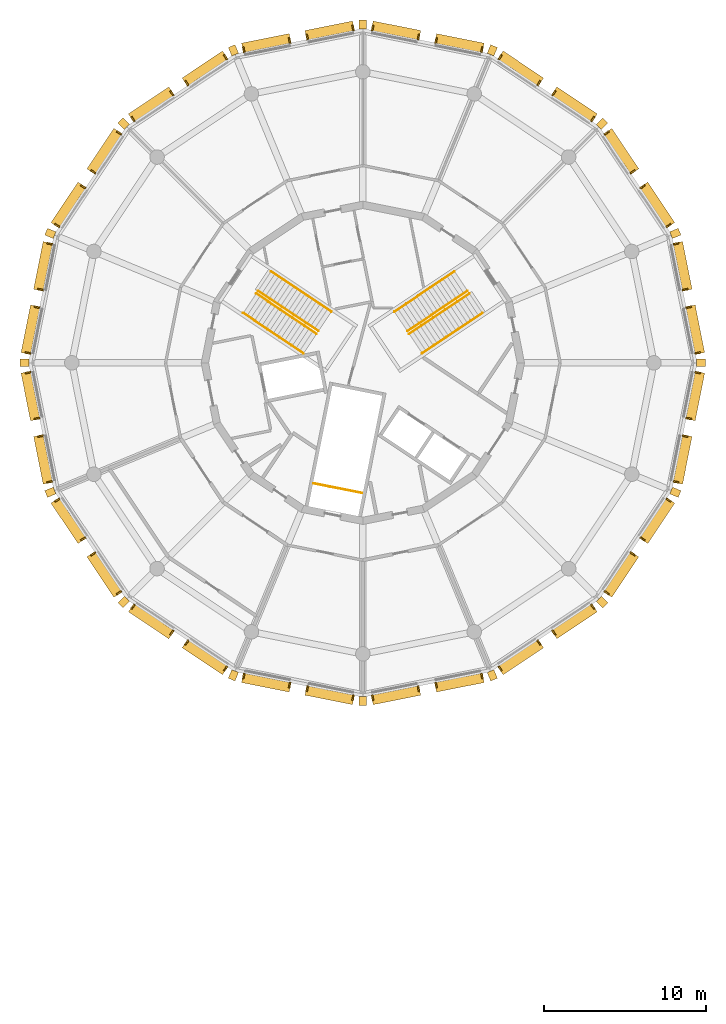
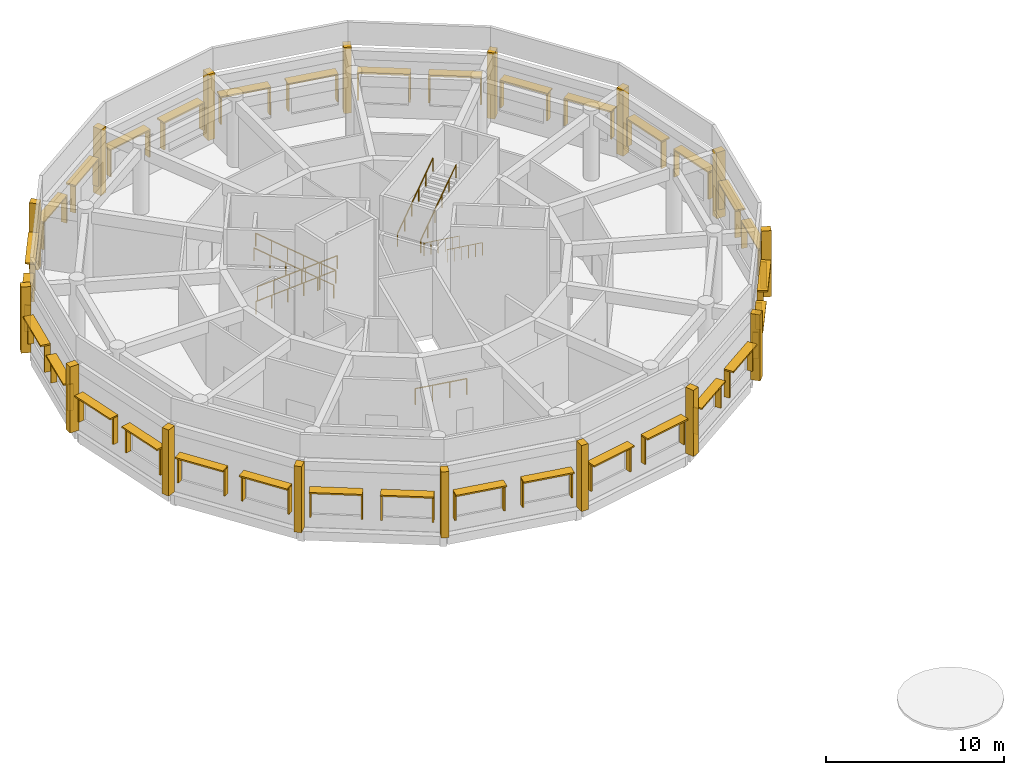
# One storey, part 8 of 8: 80 coverings, 32 shading devices, 9 railings.
"""IFC4 building model written with IfcOpenShell, lengths in metres."""

import ifcopenshell
import ifcopenshell.guid

model = None  # the IFC model being written
_history = None  # IfcOwnerHistory: only IFC2X3 demands one
_inside = {}  # id of a spatial element -> (the spatial element, [elements in it])
_under = {}  # id of a project, library or spatial element -> (it, [spatial elements below it])
_declared = {}  # id of a project -> (the project, [libraries it declares])
_typed = {}  # id of a type object -> (the type object, [elements of that type])
_made_of = {}  # id of a material, layer set ... -> (it, [elements and type objects made of it])


def new_model(schema):
    """Start an empty IFC model of exactly this schema.

    Asked for "IFC4X3", IfcOpenShell would pick the latest addendum, in which some entities
    have other attributes; the version numbers below select the first issue.
    IFC2X3 requires an IfcOwnerHistory on every rooted entity: one is made here for all.
    """
    global model, _history
    if schema == "IFC4X3":
        model = ifcopenshell.file(schema_version=(4, 3, 0, 0))
    else:
        model = ifcopenshell.file(schema=schema)
    _inside.clear()
    _under.clear()
    _declared.clear()
    _typed.clear()
    _made_of.clear()
    _history = None
    if model.schema == "IFC2X3":
        org = make("IfcOrganization", Name="unknown")
        user = make(
            "IfcPersonAndOrganization",
            ThePerson=make("IfcPerson", FamilyName="unknown"),
            TheOrganization=org,
        )
        app = make(
            "IfcApplication",
            ApplicationDeveloper=org,
            Version="unknown",
            ApplicationFullName="unknown",
            ApplicationIdentifier="unknown",
        )
        _history = make(
            "IfcOwnerHistory",
            OwningUser=user,
            OwningApplication=app,
            ChangeAction="ADDED",
            CreationDate=0,
        )
    return model


def make(cls, **values):
    """One entity of the class cls with the attributes given. An attribute that is None is left unset."""
    return model.create_entity(
        cls, **{name: value for name, value in values.items() if value is not None}
    )


def rooted(cls, **values):
    """An entity with a GlobalId (a new one), such as an element, a storey or a relation."""
    return make(cls, GlobalId=ifcopenshell.guid.new(), OwnerHistory=_history, **values)


def si_unit(unit_type, name, prefix=None):
    """IfcSIUnit, for example si_unit("LENGTHUNIT", "METRE", prefix="MILLI")."""
    return make("IfcSIUnit", UnitType=unit_type, Prefix=prefix, Name=name)


def assignment(units):
    """IfcUnitAssignment: the units of a project."""
    return None if units is None else make("IfcUnitAssignment", Units=units)


def point(xyz):
    """IfcCartesianPoint."""
    return None if xyz is None else make("IfcCartesianPoint", Coordinates=xyz)


def direction(xyz):
    """IfcDirection."""
    return None if xyz is None else make("IfcDirection", DirectionRatios=xyz)


def frame(location, z_axis=None, x_axis=None):
    """IfcAxis2Placement3D, a coordinate frame: its origin and axes. An axis left out is left unset."""
    return make(
        "IfcAxis2Placement3D",
        Location=point(location),
        Axis=direction(z_axis),
        RefDirection=direction(x_axis),
    )


def frame_2d(location, x_axis=None):
    """IfcAxis2Placement2D, a coordinate frame in the plane: its origin and x axis."""
    return make(
        "IfcAxis2Placement2D", Location=point(location), RefDirection=direction(x_axis)
    )


def origin():
    """The frame at (0, 0, 0) with its axes left unset."""
    return frame((0.0, 0.0, 0.0))


def origin_2d():
    """The frame at (0, 0) in the plane with its x axis left unset."""
    return frame_2d((0.0, 0.0))


def place(relative_to, where):
    """IfcLocalPlacement: puts the frame where relative to a parent placement (None: the world)."""
    return make(
        "IfcLocalPlacement", PlacementRelTo=relative_to, RelativePlacement=where
    )


def context(
    kind, dimensions, precision=None, world=None, true_north=None, identifier=None
):
    """IfcGeometricRepresentationContext, for example the 3D "Model" context."""
    return make(
        "IfcGeometricRepresentationContext",
        ContextIdentifier=identifier,
        ContextType=kind,
        CoordinateSpaceDimension=dimensions,
        Precision=precision,
        WorldCoordinateSystem=world,
        TrueNorth=true_north,
    )


def subcontext(parent, identifier, kind, view, scale=None):
    """IfcGeometricRepresentationSubContext, for example "Body" below "Model"."""
    return make(
        "IfcGeometricRepresentationSubContext",
        ContextIdentifier=identifier,
        ContextType=kind,
        ParentContext=parent,
        TargetScale=scale,
        TargetView=view,
    )


def project(units=None, contexts=None):
    """IfcProject with its units and contexts."""
    return rooted(
        "IfcProject",
        Name="project",
        RepresentationContexts=contexts,
        UnitsInContext=assignment(units),
    )


def spatial(cls, under=None, at=None, **own):
    """A site, building, storey or space (cls), placed at a placement, below another one or the project."""
    s = rooted(cls, ObjectPlacement=at, **own)
    if under is not None:
        _under.setdefault(under.id(), (under, []))[1].append(s)
    return s


def profile(cls, at=None, kind="AREA", **sizes):
    """A parametric profile (cls). Its sizes go by their IFC names, for example OverallWidth=200.0."""
    return make(cls, ProfileType=kind, Position=at, **sizes)


def rectangle(**sizes):
    """IfcRectangleProfileDef."""
    return profile("IfcRectangleProfileDef", **sizes)


def circle(**sizes):
    """IfcCircleProfileDef."""
    return profile("IfcCircleProfileDef", **sizes)


def extrude(swept, where, along, depth):
    """IfcExtrudedAreaSolid: the profile swept, set in the frame where, extruded along a direction by depth."""
    return make(
        "IfcExtrudedAreaSolid",
        SweptArea=swept,
        Position=where,
        ExtrudedDirection=direction(along),
        Depth=depth,
    )


def shape(context_of_items, identifier, shape_type, items):
    """IfcShapeRepresentation: the items that make up one representation, for example the "Body"."""
    return make(
        "IfcShapeRepresentation",
        ContextOfItems=context_of_items,
        RepresentationIdentifier=identifier,
        RepresentationType=shape_type,
        Items=items,
    )


def material(Name=None, Category=None):
    """IfcMaterial."""
    return make("IfcMaterial", Name=Name, Category=Category)


def layer(
    of_material, thickness, ventilated=None, Name=None, Category=None, Priority=None
):
    """IfcMaterialLayer: one layer of a wall or slab, of a material (None: an air gap)."""
    return make(
        "IfcMaterialLayer",
        Material=of_material,
        LayerThickness=thickness,
        IsVentilated=ventilated,
        Name=Name,
        Category=Category,
        Priority=Priority,
    )


def layer_set(layers, Name=None):
    """IfcMaterialLayerSet."""
    return make("IfcMaterialLayerSet", MaterialLayers=layers, LayerSetName=Name)


def made_of(thing, what):
    """Note that an element or type object is made of a material, layer set ...; save() writes the relation."""
    if what is not None:
        _made_of.setdefault(what.id(), (what, []))[1].append(thing)
    return thing


def type_object(cls, material=None, **own):
    """A type object (cls), such as IfcWallType, which elements share."""
    return made_of(rooted(cls, **own), material)


def element(
    cls,
    number,
    at=None,
    inside=None,
    cuts=None,
    type_object=None,
    material=None,
    context=None,
    identifier="Body",
    shape_type=None,
    held_by="IfcProductDefinitionShape",
    body=None,
    shapes=None,
    **own,
):
    """One element of the class cls, such as IfcWall. Its Tag is "e" and its number.

    at: its placement. inside: the storey or other place that contains it. cuts: it is an
    opening in that element (IfcRelVoidsElement). A single representation is given by context,
    identifier, shape_type and body (its items); several are given by shapes. held_by: the class
    of the entity that holds the representations. save() writes the other relations.
    """
    e = rooted(cls, Tag="e%d" % number, ObjectPlacement=at, **own)
    if body is not None:
        shapes = [shape(context, identifier, shape_type, body)]
    if shapes is not None:
        e.Representation = make(held_by, Representations=shapes)
    if inside is not None:
        _inside.setdefault(inside.id(), (inside, []))[1].append(e)
    if cuts is not None:
        rooted(
            "IfcRelVoidsElement", RelatingBuildingElement=cuts, RelatedOpeningElement=e
        )
    if type_object is not None:
        _typed.setdefault(type_object.id(), (type_object, []))[1].append(e)
    return made_of(e, material)


def aggregate(whole, parts):
    """IfcRelAggregates: a whole, such as a stair, and the parts it consists of."""
    return rooted("IfcRelAggregates", RelatingObject=whole, RelatedObjects=parts)


def save(model, path):
    """Write the relations noted so far, then the file.

    IfcRelAggregates (storeys below a building ...), IfcRelContainedInSpatialStructure (elements
    in a storey), IfcRelDefinesByType, IfcRelAssociatesMaterial and IfcRelDeclares: one each for
    every whole, place, type object, material and project.
    """
    for whole, parts in _under.values():
        aggregate(whole, parts)
    for where, things in _inside.values():
        rooted(
            "IfcRelContainedInSpatialStructure",
            RelatedElements=things,
            RelatingStructure=where,
        )
    for kind, things in _typed.values():
        rooted("IfcRelDefinesByType", RelatedObjects=things, RelatingType=kind)
    for what, things in _made_of.values():
        rooted("IfcRelAssociatesMaterial", RelatedObjects=things, RelatingMaterial=what)
    for by, libraries in _declared.values():
        rooted("IfcRelDeclares", RelatingContext=by, RelatedDefinitions=libraries)
    model.write(path)


model = new_model("IFC4")

# Units and contexts
model_context = context("Model", 3, precision=1e-05, world=origin(), true_north=direction((0.0, 1.0)))
body_context = subcontext(model_context, "Body", "Model", "MODEL_VIEW")
ifc_project = project(units=[si_unit("LENGTHUNIT", "METRE"), si_unit("AREAUNIT", "SQUARE_METRE"), si_unit("VOLUMEUNIT", "CUBIC_METRE"), si_unit("PLANEANGLEUNIT", "RADIAN"), si_unit("MASSUNIT", "GRAM", prefix="KILO")], contexts=[model_context])

# Site, building, storey
site_placement = place(None, origin())
site = spatial("IfcSite", under=ifc_project, at=site_placement, CompositionType="ELEMENT")
building_placement = place(site_placement, origin())
building = spatial("IfcBuilding", under=site, at=building_placement, Name="Ceibo Conservatory and Research Tower", CompositionType="ELEMENT")
storey_placement = place(building_placement, frame((0.0, 0.0, 20.39990234375)))
storey = spatial("IfcBuildingStorey", under=building, at=storey_placement, Name="L04", CompositionType="ELEMENT", Elevation=20.39990234375)

# Shading devices
ifc_material_1 = material(Name="Ceramic louvre")
ifc_layer_1 = layer(ifc_material_1, 0.10009765625)
ifc_layer_set_1 = layer_set([ifc_layer_1], Name="Ceramic louvre")
shading_device_type = type_object("IfcShadingDeviceType", Name="Ceramic louvre hood 600", PredefinedType="JALOUSIE", material=ifc_layer_set_1)
for number, where, z_axis, x_axis, name in (
    (1, (68.55126953125, 122.049072265625, 2.699951171875), (0.0, 0.0, 1.0), (-0.19509037337, 0.980785270188, 0.0), "Louvre hood L04 00.1"),
    (2, (67.77099609375, 125.971435546875, 2.699951171875), (0.0, 0.0, 1.0), (-0.19509037337, 0.980785270188, 0.0), "Louvre hood L04 00.2"),
    (3, (66.20263671875, 129.7578125, 2.699951171875), (0.0, 0.0, 1.0), (-0.555570174972, 0.831469651089, 0.0), "Louvre hood L04 01.1"),
    (4, (63.980712890625, 133.0830078125, 2.699951171875), (0.0, 0.0, 1.0), (-0.555570174972, 0.831469651089, 0.0), "Louvre hood L04 01.2"),
    (5, (61.0830078125, 135.980712890625, 2.699951171875), (0.0, 0.0, 1.0), (-0.831469651089, 0.555570174972, 0.0), "Louvre hood L04 02.1"),
    (6, (57.7578125, 138.20263671875, 2.699951171875), (0.0, 0.0, 1.0), (-0.831469651089, 0.555570174972, 0.0), "Louvre hood L04 02.2"),
    (7, (53.971435546875, 139.77099609375, 2.699951171875), (0.0, 0.0, 1.0), (-0.980785270188, 0.19509037337, 0.0), "Louvre hood L04 03.1"),
    (8, (50.049072265625, 140.55126953125, 2.699951171875), (0.0, 0.0, 1.0), (-0.980785270188, 0.19509037337, 0.0), "Louvre hood L04 03.2"),
    (9, (45.950927734375, 140.55126953125, 2.699951171875), (0.0, 0.0, 1.0), (-0.980785270188, -0.19509037337, 0.0), "Louvre hood L04 04.1"),
    (10, (42.028564453125, 139.77099609375, 2.699951171875), (0.0, 0.0, 1.0), (-0.980785270188, -0.19509037337, 0.0), "Louvre hood L04 04.2"),
    (11, (38.2421875, 138.20263671875, 2.699951171875), (0.0, 0.0, 1.0), (-0.831469651089, -0.555570174972, 0.0), "Louvre hood L04 05.1"),
    (12, (34.9169921875, 135.980712890625, 2.699951171875), (0.0, 0.0, 1.0), (-0.831469651089, -0.555570174972, 0.0), "Louvre hood L04 05.2"),
    (13, (32.019287109375, 133.0830078125, 2.699951171875), (0.0, 0.0, 1.0), (-0.555570174972, -0.831469651089, 0.0), "Louvre hood L04 06.1"),
    (14, (29.79736328125, 129.7578125, 2.699951171875), (0.0, 0.0, 1.0), (-0.555570174972, -0.831469651089, 0.0), "Louvre hood L04 06.2"),
    (15, (28.22900390625, 125.971435546875, 2.699951171875), (0.0, 0.0, 1.0), (-0.19509037337, -0.980785270188, 0.0), "Louvre hood L04 07.1"),
    (16, (27.44873046875, 122.049072265625, 2.699951171875), (0.0, 0.0, 1.0), (-0.19509037337, -0.980785270188, 0.0), "Louvre hood L04 07.2"),
    (17, (27.44873046875, 117.950927734375, 2.699951171875), (0.0, 0.0, 1.0), (0.19509037337, -0.980785270188, 0.0), "Louvre hood L04 08.1"),
    (18, (28.22900390625, 114.028564453125, 2.699951171875), (0.0, 0.0, 1.0), (0.19509037337, -0.980785270188, 0.0), "Louvre hood L04 08.2"),
    (19, (29.79736328125, 110.2421875, 2.699951171875), (0.0, 0.0, 1.0), (0.555570174972, -0.831469651089, 0.0), "Louvre hood L04 09.1"),
    (20, (32.019287109375, 106.9169921875, 2.699951171875), (0.0, 0.0, 1.0), (0.555570174972, -0.831469651089, 0.0), "Louvre hood L04 09.2"),
    (21, (34.9169921875, 104.019287109375, 2.699951171875), (0.0, 0.0, 1.0), (0.831469651089, -0.555570174972, 0.0), "Louvre hood L04 10.1"),
    (22, (38.2421875, 101.79736328125, 2.699951171875), (0.0, 0.0, 1.0), (0.831469651089, -0.555570174972, 0.0), "Louvre hood L04 10.2"),
    (23, (42.028564453125, 100.22900390625, 2.699951171875), (0.0, 0.0, 1.0), (0.980785270188, -0.19509037337, 0.0), "Louvre hood L04 11.1"),
    (24, (45.950927734375, 99.44873046875, 2.699951171875), (0.0, 0.0, 1.0), (0.980785270188, -0.19509037337, 0.0), "Louvre hood L04 11.2"),
    (25, (50.049072265625, 99.44873046875, 2.699951171875), (0.0, 0.0, 1.0), (0.980785270188, 0.19509037337, 0.0), "Louvre hood L04 12.1"),
    (26, (53.971435546875, 100.22900390625, 2.699951171875), (0.0, 0.0, 1.0), (0.980785270188, 0.19509037337, 0.0), "Louvre hood L04 12.2"),
    (27, (57.7578125, 101.79736328125, 2.699951171875), (0.0, 0.0, 1.0), (0.831469651089, 0.555570174972, 0.0), "Louvre hood L04 13.1"),
    (28, (61.0830078125, 104.019287109375, 2.699951171875), (0.0, 0.0, 1.0), (0.831469651089, 0.555570174972, 0.0), "Louvre hood L04 13.2"),
    (29, (63.980712890625, 106.9169921875, 2.699951171875), (0.0, 0.0, 1.0), (0.555570174972, 0.831469651089, 0.0), "Louvre hood L04 14.1"),
    (30, (66.20263671875, 110.2421875, 2.699951171875), (0.0, 0.0, 1.0), (0.555570174972, 0.831469651089, 0.0), "Louvre hood L04 14.2"),
    (31, (67.77099609375, 114.028564453125, 2.699951171875), (0.0, 0.0, 1.0), (0.19509037337, 0.980785270188, 0.0), "Louvre hood L04 15.1"),
    (32, (68.55126953125, 117.950927734375, 2.699951171875), (0.0, 0.0, 1.0), (0.19509037337, 0.980785270188, 0.0), "Louvre hood L04 15.2"),
):
    element("IfcShadingDevice", number, at=place(storey_placement, frame(where, z_axis=z_axis, x_axis=x_axis)), inside=storey, type_object=shading_device_type, Name=name, PredefinedType="JALOUSIE", context=body_context, shape_type="SweptSolid", body=[
        extrude(rectangle(XDim=3.0, YDim=0.60009765625, at=origin_2d()), origin(), (0.0, 0.0, 1.0), 0.10009765625),
    ])

# Coverings
ifc_material_2 = material(Name="Ceramic")
ifc_layer_2 = layer(ifc_material_2, 0.10009765625)
ifc_layer_set_2 = layer_set([ifc_layer_2], Name="Ceramic")
covering_type_1 = type_object("IfcCoveringType", Name="Ceramic reveal cheek 100 x 350", PredefinedType="CLADDING", material=ifc_layer_set_2)
for number, where, z_axis, x_axis, name in (
    (33, (68.71142578125, 120.6025390625, 0.89990234375), (0.0, 0.0, 1.0), (-0.19509037337, 0.980785270188, 0.0), "Reveal cheek L04 00.1L"),
    (34, (68.145751953125, 123.44677734375, 0.89990234375), (0.0, 0.0, 1.0), (-0.19509037337, 0.980785270188, 0.0), "Reveal cheek L04 00.1R"),
    (35, (67.931396484375, 124.52490234375, 0.89990234375), (0.0, 0.0, 1.0), (-0.19509037337, 0.980785270188, 0.0), "Reveal cheek L04 00.2L"),
    (36, (67.365478515625, 127.369384765625, 0.89990234375), (0.0, 0.0, 1.0), (-0.19509037337, 0.980785270188, 0.0), "Reveal cheek L04 00.2R"),
    (37, (66.904296875, 128.482666015625, 0.89990234375), (0.0, 0.0, 1.0), (-0.555570174972, 0.831469651089, 0.0), "Reveal cheek L04 01.1L"),
    (38, (65.293212890625, 130.893798828125, 0.89990234375), (0.0, 0.0, 1.0), (-0.555570174972, 0.831469651089, 0.0), "Reveal cheek L04 01.1R"),
    (39, (64.682373046875, 131.807861328125, 0.89990234375), (0.0, 0.0, 1.0), (-0.555570174972, 0.831469651089, 0.0), "Reveal cheek L04 01.2L"),
    (40, (63.0712890625, 134.21923828125, 0.89990234375), (0.0, 0.0, 1.0), (-0.555570174972, 0.831469651089, 0.0), "Reveal cheek L04 01.2R"),
    (41, (62.21923828125, 135.0712890625, 0.89990234375), (0.0, 0.0, 1.0), (-0.831469651089, 0.555570174972, 0.0), "Reveal cheek L04 02.1L"),
    (42, (59.807861328125, 136.682373046875, 0.89990234375), (0.0, 0.0, 1.0), (-0.831469651089, 0.555570174972, 0.0), "Reveal cheek L04 02.1R"),
    (43, (58.893798828125, 137.293212890625, 0.89990234375), (0.0, 0.0, 1.0), (-0.831469651089, 0.555570174972, 0.0), "Reveal cheek L04 02.2L"),
    (44, (56.482666015625, 138.904296875, 0.89990234375), (0.0, 0.0, 1.0), (-0.831469651089, 0.555570174972, 0.0), "Reveal cheek L04 02.2R"),
    (45, (55.369384765625, 139.365478515625, 0.89990234375), (0.0, 0.0, 1.0), (-0.980785270188, 0.19509037337, 0.0), "Reveal cheek L04 03.1L"),
    (46, (52.52490234375, 139.931396484375, 0.89990234375), (0.0, 0.0, 1.0), (-0.980785270188, 0.19509037337, 0.0), "Reveal cheek L04 03.1R"),
    (47, (51.44677734375, 140.145751953125, 0.89990234375), (0.0, 0.0, 1.0), (-0.980785270188, 0.19509037337, 0.0), "Reveal cheek L04 03.2L"),
    (48, (48.6025390625, 140.71142578125, 0.89990234375), (0.0, 0.0, 1.0), (-0.980785270188, 0.19509037337, 0.0), "Reveal cheek L04 03.2R"),
    (49, (47.3974609375, 140.71142578125, 0.89990234375), (0.0, 0.0, 1.0), (-0.980785270188, -0.19509037337, 0.0), "Reveal cheek L04 04.1L"),
    (50, (44.55322265625, 140.145751953125, 0.89990234375), (0.0, 0.0, 1.0), (-0.980785270188, -0.19509037337, 0.0), "Reveal cheek L04 04.1R"),
    (51, (43.47509765625, 139.931396484375, 0.89990234375), (0.0, 0.0, 1.0), (-0.980785270188, -0.19509037337, 0.0), "Reveal cheek L04 04.2L"),
    (52, (40.630615234375, 139.365478515625, 0.89990234375), (0.0, 0.0, 1.0), (-0.980785270188, -0.19509037337, 0.0), "Reveal cheek L04 04.2R"),
    (53, (39.517333984375, 138.904296875, 0.89990234375), (0.0, 0.0, 1.0), (-0.831469651089, -0.555570174972, 0.0), "Reveal cheek L04 05.1L"),
    (54, (37.106201171875, 137.293212890625, 0.89990234375), (0.0, 0.0, 1.0), (-0.831469651089, -0.555570174972, 0.0), "Reveal cheek L04 05.1R"),
    (55, (36.192138671875, 136.682373046875, 0.89990234375), (0.0, 0.0, 1.0), (-0.831469651089, -0.555570174972, 0.0), "Reveal cheek L04 05.2L"),
    (56, (33.78076171875, 135.0712890625, 0.89990234375), (0.0, 0.0, 1.0), (-0.831469651089, -0.555570174972, 0.0), "Reveal cheek L04 05.2R"),
    (57, (32.9287109375, 134.21923828125, 0.89990234375), (0.0, 0.0, 1.0), (-0.555570174972, -0.831469651089, 0.0), "Reveal cheek L04 06.1L"),
    (58, (31.317626953125, 131.807861328125, 0.89990234375), (0.0, 0.0, 1.0), (-0.555570174972, -0.831469651089, 0.0), "Reveal cheek L04 06.1R"),
    (59, (30.706787109375, 130.893798828125, 0.89990234375), (0.0, 0.0, 1.0), (-0.555570174972, -0.831469651089, 0.0), "Reveal cheek L04 06.2L"),
    (60, (29.095703125, 128.482666015625, 0.89990234375), (0.0, 0.0, 1.0), (-0.555570174972, -0.831469651089, 0.0), "Reveal cheek L04 06.2R"),
    (61, (28.634521484375, 127.369384765625, 0.89990234375), (0.0, 0.0, 1.0), (-0.19509037337, -0.980785270188, 0.0), "Reveal cheek L04 07.1L"),
    (62, (28.068603515625, 124.52490234375, 0.89990234375), (0.0, 0.0, 1.0), (-0.19509037337, -0.980785270188, 0.0), "Reveal cheek L04 07.1R"),
    (63, (27.854248046875, 123.44677734375, 0.89990234375), (0.0, 0.0, 1.0), (-0.19509037337, -0.980785270188, 0.0), "Reveal cheek L04 07.2L"),
    (64, (27.28857421875, 120.6025390625, 0.89990234375), (0.0, 0.0, 1.0), (-0.19509037337, -0.980785270188, 0.0), "Reveal cheek L04 07.2R"),
    (65, (27.28857421875, 119.3974609375, 0.89990234375), (0.0, 0.0, 1.0), (0.19509037337, -0.980785270188, 0.0), "Reveal cheek L04 08.1L"),
    (66, (27.854248046875, 116.55322265625, 0.89990234375), (0.0, 0.0, 1.0), (0.19509037337, -0.980785270188, 0.0), "Reveal cheek L04 08.1R"),
    (67, (28.068603515625, 115.47509765625, 0.89990234375), (0.0, 0.0, 1.0), (0.19509037337, -0.980785270188, 0.0), "Reveal cheek L04 08.2L"),
    (68, (28.634521484375, 112.630615234375, 0.89990234375), (0.0, 0.0, 1.0), (0.19509037337, -0.980785270188, 0.0), "Reveal cheek L04 08.2R"),
    (69, (29.095703125, 111.517333984375, 0.89990234375), (0.0, 0.0, 1.0), (0.555570174972, -0.831469651089, 0.0), "Reveal cheek L04 09.1L"),
    (70, (30.706787109375, 109.106201171875, 0.89990234375), (0.0, 0.0, 1.0), (0.555570174972, -0.831469651089, 0.0), "Reveal cheek L04 09.1R"),
    (71, (31.317626953125, 108.192138671875, 0.89990234375), (0.0, 0.0, 1.0), (0.555570174972, -0.831469651089, 0.0), "Reveal cheek L04 09.2L"),
    (72, (32.9287109375, 105.78076171875, 0.89990234375), (0.0, 0.0, 1.0), (0.555570174972, -0.831469651089, 0.0), "Reveal cheek L04 09.2R"),
    (73, (33.78076171875, 104.9287109375, 0.89990234375), (0.0, 0.0, 1.0), (0.831469651089, -0.555570174972, 0.0), "Reveal cheek L04 10.1L"),
    (74, (36.192138671875, 103.317626953125, 0.89990234375), (0.0, 0.0, 1.0), (0.831469651089, -0.555570174972, 0.0), "Reveal cheek L04 10.1R"),
    (75, (37.106201171875, 102.706787109375, 0.89990234375), (0.0, 0.0, 1.0), (0.831469651089, -0.555570174972, 0.0), "Reveal cheek L04 10.2L"),
    (76, (39.517333984375, 101.095703125, 0.89990234375), (0.0, 0.0, 1.0), (0.831469651089, -0.555570174972, 0.0), "Reveal cheek L04 10.2R"),
    (77, (40.630615234375, 100.634521484375, 0.89990234375), (0.0, 0.0, 1.0), (0.980785270188, -0.19509037337, 0.0), "Reveal cheek L04 11.1L"),
    (78, (43.47509765625, 100.068603515625, 0.89990234375), (0.0, 0.0, 1.0), (0.980785270188, -0.19509037337, 0.0), "Reveal cheek L04 11.1R"),
    (79, (44.55322265625, 99.854248046875, 0.89990234375), (0.0, 0.0, 1.0), (0.980785270188, -0.19509037337, 0.0), "Reveal cheek L04 11.2L"),
    (80, (47.3974609375, 99.28857421875, 0.89990234375), (0.0, 0.0, 1.0), (0.980785270188, -0.19509037337, 0.0), "Reveal cheek L04 11.2R"),
    (81, (48.6025390625, 99.28857421875, 0.89990234375), (0.0, 0.0, 1.0), (0.980785270188, 0.19509037337, 0.0), "Reveal cheek L04 12.1L"),
    (82, (51.44677734375, 99.854248046875, 0.89990234375), (0.0, 0.0, 1.0), (0.980785270188, 0.19509037337, 0.0), "Reveal cheek L04 12.1R"),
    (83, (52.52490234375, 100.068603515625, 0.89990234375), (0.0, 0.0, 1.0), (0.980785270188, 0.19509037337, 0.0), "Reveal cheek L04 12.2L"),
    (84, (55.369384765625, 100.634521484375, 0.89990234375), (0.0, 0.0, 1.0), (0.980785270188, 0.19509037337, 0.0), "Reveal cheek L04 12.2R"),
    (85, (56.482666015625, 101.095703125, 0.89990234375), (0.0, 0.0, 1.0), (0.831469651089, 0.555570174972, 0.0), "Reveal cheek L04 13.1L"),
    (86, (58.893798828125, 102.706787109375, 0.89990234375), (0.0, 0.0, 1.0), (0.831469651089, 0.555570174972, 0.0), "Reveal cheek L04 13.1R"),
    (87, (59.807861328125, 103.317626953125, 0.89990234375), (0.0, 0.0, 1.0), (0.831469651089, 0.555570174972, 0.0), "Reveal cheek L04 13.2L"),
    (88, (62.21923828125, 104.9287109375, 0.89990234375), (0.0, 0.0, 1.0), (0.831469651089, 0.555570174972, 0.0), "Reveal cheek L04 13.2R"),
    (89, (63.0712890625, 105.78076171875, 0.89990234375), (0.0, 0.0, 1.0), (0.555570174972, 0.831469651089, 0.0), "Reveal cheek L04 14.1L"),
    (90, (64.682373046875, 108.192138671875, 0.89990234375), (0.0, 0.0, 1.0), (0.555570174972, 0.831469651089, 0.0), "Reveal cheek L04 14.1R"),
    (91, (65.293212890625, 109.106201171875, 0.89990234375), (0.0, 0.0, 1.0), (0.555570174972, 0.831469651089, 0.0), "Reveal cheek L04 14.2L"),
    (92, (66.904296875, 111.517333984375, 0.89990234375), (0.0, 0.0, 1.0), (0.555570174972, 0.831469651089, 0.0), "Reveal cheek L04 14.2R"),
    (93, (67.365478515625, 112.630615234375, 0.89990234375), (0.0, 0.0, 1.0), (0.19509037337, 0.980785270188, 0.0), "Reveal cheek L04 15.1L"),
    (94, (67.931396484375, 115.47509765625, 0.89990234375), (0.0, 0.0, 1.0), (0.19509037337, 0.980785270188, 0.0), "Reveal cheek L04 15.1R"),
    (95, (68.145751953125, 116.55322265625, 0.89990234375), (0.0, 0.0, 1.0), (0.19509037337, 0.980785270188, 0.0), "Reveal cheek L04 15.2L"),
    (96, (68.71142578125, 119.3974609375, 0.89990234375), (0.0, 0.0, 1.0), (0.19509037337, 0.980785270188, 0.0), "Reveal cheek L04 15.2R"),
):
    element("IfcCovering", number, at=place(storey_placement, frame(where, z_axis=z_axis, x_axis=x_axis)), inside=storey, type_object=covering_type_1, Name=name, PredefinedType="CLADDING", context=body_context, shape_type="SweptSolid", body=[
        extrude(rectangle(XDim=0.10009765625, YDim=0.35009765625, at=origin_2d()), origin(), (0.0, 0.0, 1.0), 1.800048828125),
    ])
ifc_material_3 = material(Name="Concrete C35/45", Category="concrete")
covering_type_2 = type_object("IfcCoveringType", Name="Precast concrete pier 450x550", PredefinedType="CLADDING", material=ifc_material_3)
for number, where, z_axis, x_axis, name in (
    (97, (68.91796875, 120.0, 0.0), (0.0, 0.0, 1.0), (1.0, 0.0, 0.0), "Precast pier 04.01"),
    (98, (67.32568359375, 128.0048828125, 0.0), (0.0, 0.0, 1.0), (0.923879532511, 0.382683432365, 0.0), "Precast pier 04.02"),
    (99, (62.791259765625, 134.791259765625, 0.0), (0.0, 0.0, 1.0), (0.707106781187, 0.707106781187, 0.0), "Precast pier 04.03"),
    (100, (56.0048828125, 139.32568359375, 0.0), (0.0, 0.0, 1.0), (0.382683432365, 0.923879532511, 0.0), "Precast pier 04.04"),
    (101, (48.0, 140.91796875, 0.0), (0.0, 0.0, 1.0), (0.0, 1.0, 0.0), "Precast pier 04.05"),
    (102, (39.9951171875, 139.32568359375, 0.0), (0.0, 0.0, 1.0), (-0.382683432365, 0.923879532511, 0.0), "Precast pier 04.06"),
    (103, (33.208740234375, 134.791259765625, 0.0), (0.0, 0.0, 1.0), (-0.707106781187, 0.707106781187, 0.0), "Precast pier 04.07"),
    (104, (28.67431640625, 128.0048828125, 0.0), (0.0, 0.0, 1.0), (-0.923879532511, 0.382683432365, 0.0), "Precast pier 04.08"),
    (105, (27.08203125, 120.0, 0.0), (0.0, 0.0, 1.0), (-1.0, 0.0, 0.0), "Precast pier 04.09"),
    (106, (28.67431640625, 111.9951171875, 0.0), (0.0, 0.0, 1.0), (-0.923879532511, -0.382683432365, 0.0), "Precast pier 04.10"),
    (107, (33.208740234375, 105.208740234375, 0.0), (0.0, 0.0, 1.0), (-0.707106781187, -0.707106781187, 0.0), "Precast pier 04.11"),
    (108, (39.9951171875, 100.67431640625, 0.0), (0.0, 0.0, 1.0), (-0.382683432365, -0.923879532511, 0.0), "Precast pier 04.12"),
    (109, (48.0, 99.08203125, 0.0), (0.0, 0.0, 1.0), (0.0, -1.0, 0.0), "Precast pier 04.13"),
    (110, (56.0048828125, 100.67431640625, 0.0), (0.0, 0.0, 1.0), (0.382683432365, -0.923879532511, 0.0), "Precast pier 04.14"),
    (111, (62.791259765625, 105.208740234375, 0.0), (0.0, 0.0, 1.0), (0.707106781187, -0.707106781187, 0.0), "Precast pier 04.15"),
    (112, (67.32568359375, 111.9951171875, 0.0), (0.0, 0.0, 1.0), (0.923879532511, -0.382683432365, 0.0), "Precast pier 04.16"),
):
    element("IfcCovering", number, at=place(storey_placement, frame(where, z_axis=z_axis, x_axis=x_axis)), inside=storey, type_object=covering_type_2, Name=name, PredefinedType="CLADDING", context=body_context, shape_type="SweptSolid", body=[
        extrude(rectangle(XDim=0.570068359375, YDim=0.449951171875, at=origin_2d()), origin(), (0.0, 0.0, 1.0), 4.52001953125),
    ])

# Railings
ifc_material_4 = material(Name="Stainless steel AISI 316", Category="steel")
railing_type_1 = type_object("IfcRailingType", Name="Stair guard 1100", PredefinedType="GUARDRAIL", material=ifc_material_4)
railing_1_placement = place(storey_placement, frame((44.961669921875, 112.54150390625, 0.0)))
element("IfcRailing", 113, at=railing_1_placement, inside=storey, type_object=railing_type_1, Name="Guard ST3 04", PredefinedType="GUARDRAIL", context=body_context, shape_type="SweptSolid", body=[
    extrude(circle(Radius=0.02392578125, at=origin_2d()), frame((0.0, 0.0, 1.076171875), z_axis=(0.980786418834, -0.195084598653, 0.0), x_axis=(0.195084598653, 0.980786418834, 0.0)), (0.0, 0.0, 1.0), 3.0498046875),
    extrude(circle(Radius=0.02099609375, at=origin_2d()), origin(), (0.0, 0.0, 1.0), 1.052001953125),
    extrude(circle(Radius=0.02099609375, at=origin_2d()), frame((0.9970703125, -0.1982421875, 0.0)), (0.0, 0.0, 1.0), 1.052001953125),
    extrude(circle(Radius=0.02099609375, at=origin_2d()), frame((1.994140625, -0.396728515625, 0.0)), (0.0, 0.0, 1.0), 1.052001953125),
    extrude(circle(Radius=0.02099609375, at=origin_2d()), frame((2.9912109375, -0.594970703125, 0.0)), (0.0, 0.0, 1.0), 1.052001953125),
])
railing_type_2 = type_object("IfcRailingType", Name="Stair handrail 900", PredefinedType="HANDRAIL", material=ifc_material_4)
railing_2_placement = place(storey_placement, frame((55.394287109375, 123.07763671875, 0.14599609375)))
element("IfcRailing", 114, at=railing_2_placement, inside=storey, type_object=railing_type_2, Name="Handrail ST1 04 1a", PredefinedType="HANDRAIL", context=body_context, shape_type="SweptSolid", body=[
    extrude(circle(Radius=0.02392578125, at=origin_2d()), frame((0.0, 0.0, 0.8759765625), z_axis=(-0.737421792831, -0.492677792379, 0.462036462149), x_axis=(0.555529932809, -0.83149653863, 0.0)), (0.0, 0.0, 1.0), 5.051513671875),
    extrude(circle(Radius=0.02099609375, at=origin_2d()), origin(), (0.0, 0.0, 1.0), 0.851806640625),
    extrude(circle(Radius=0.02099609375, at=origin_2d()), frame((-0.7451171875, -0.497802734375, 0.466796875)), (0.0, 0.0, 1.0), 0.851806640625),
    extrude(circle(Radius=0.02099609375, at=origin_2d()), frame((-1.489990234375, -0.99560546875, 0.93359375)), (0.0, 0.0, 1.0), 0.851806640625),
    extrude(circle(Radius=0.02099609375, at=origin_2d()), frame((-2.235107421875, -1.4931640625, 1.400390625)), (0.0, 0.0, 1.0), 0.851806640625),
    extrude(circle(Radius=0.02099609375, at=origin_2d()), frame((-2.97998046875, -1.990966796875, 1.8671875)), (0.0, 0.0, 1.0), 0.851806640625),
    extrude(circle(Radius=0.02099609375, at=origin_2d()), frame((-3.72509765625, -2.48876953125, 2.333984375)), (0.0, 0.0, 1.0), 0.851806640625),
])
railing_3_placement = place(storey_placement, frame((54.589599609375, 124.28173828125, 0.14599609375)))
element("IfcRailing", 115, at=railing_3_placement, inside=storey, type_object=railing_type_2, Name="Handrail ST1 04 1b", PredefinedType="HANDRAIL", context=body_context, shape_type="SweptSolid", body=[
    extrude(circle(Radius=0.02392578125, at=origin_2d()), frame((0.0, 0.0, 0.8759765625), z_axis=(-0.737382183126, -0.492731949726, 0.462041926374), x_axis=(0.555592782564, -0.831454544736, 0.0)), (0.0, 0.0, 1.0), 5.051513671875),
    extrude(circle(Radius=0.02099609375, at=origin_2d()), origin(), (0.0, 0.0, 1.0), 0.851806640625),
    extrude(circle(Radius=0.02099609375, at=origin_2d()), frame((-0.744873046875, -0.497802734375, 0.466796875)), (0.0, 0.0, 1.0), 0.851806640625),
    extrude(circle(Radius=0.02099609375, at=origin_2d()), frame((-1.489990234375, -0.99560546875, 0.93359375)), (0.0, 0.0, 1.0), 0.851806640625),
    extrude(circle(Radius=0.02099609375, at=origin_2d()), frame((-2.23486328125, -1.493408203125, 1.400390625)), (0.0, 0.0, 1.0), 0.851806640625),
    extrude(circle(Radius=0.02099609375, at=origin_2d()), frame((-2.97998046875, -1.9912109375, 1.8671875)), (0.0, 0.0, 1.0), 0.851806640625),
    extrude(circle(Radius=0.02099609375, at=origin_2d()), frame((-3.724853515625, -2.489013671875, 2.333984375)), (0.0, 0.0, 1.0), 0.851806640625),
])
railing_4_placement = place(storey_placement, frame((49.947998046875, 123.16455078125, 2.6259765625)))
element("IfcRailing", 116, at=railing_4_placement, inside=storey, type_object=railing_type_2, Name="Handrail ST1 04 2a", PredefinedType="HANDRAIL", context=body_context, shape_type="SweptSolid", body=[
    extrude(circle(Radius=0.02392578125, at=origin_2d()), frame((0.0, 0.0, 0.8759765625), z_axis=(0.737421792831, 0.492677792379, 0.462036462149), x_axis=(-0.555529932809, 0.83149653863, 0.0)), (0.0, 0.0, 1.0), 5.051513671875),
    extrude(circle(Radius=0.02099609375, at=origin_2d()), origin(), (0.0, 0.0, 1.0), 0.851806640625),
    extrude(circle(Radius=0.02099609375, at=origin_2d()), frame((0.7451171875, 0.497802734375, 0.466796875)), (0.0, 0.0, 1.0), 0.851806640625),
    extrude(circle(Radius=0.02099609375, at=origin_2d()), frame((1.489990234375, 0.99560546875, 0.93359375)), (0.0, 0.0, 1.0), 0.851806640625),
    extrude(circle(Radius=0.02099609375, at=origin_2d()), frame((2.235107421875, 1.4931640625, 1.400390625)), (0.0, 0.0, 1.0), 0.851806640625),
    extrude(circle(Radius=0.02099609375, at=origin_2d()), frame((2.97998046875, 1.990966796875, 1.8671875)), (0.0, 0.0, 1.0), 0.851806640625),
    extrude(circle(Radius=0.02099609375, at=origin_2d()), frame((3.72509765625, 2.48876953125, 2.333984375)), (0.0, 0.0, 1.0), 0.851806640625),
])
railing_5_placement = place(storey_placement, frame((50.752685546875, 121.96044921875, 2.6259765625)))
element("IfcRailing", 117, at=railing_5_placement, inside=storey, type_object=railing_type_2, Name="Handrail ST1 04 2b", PredefinedType="HANDRAIL", context=body_context, shape_type="SweptSolid", body=[
    extrude(circle(Radius=0.02392578125, at=origin_2d()), frame((0.0, 0.0, 0.8759765625), z_axis=(0.737382183126, 0.492731949726, 0.462041926374), x_axis=(-0.555592782564, 0.831454544736, 0.0)), (0.0, 0.0, 1.0), 5.051513671875),
    extrude(circle(Radius=0.02099609375, at=origin_2d()), origin(), (0.0, 0.0, 1.0), 0.851806640625),
    extrude(circle(Radius=0.02099609375, at=origin_2d()), frame((0.744873046875, 0.497802734375, 0.466796875)), (0.0, 0.0, 1.0), 0.851806640625),
    extrude(circle(Radius=0.02099609375, at=origin_2d()), frame((1.489990234375, 0.99560546875, 0.93359375)), (0.0, 0.0, 1.0), 0.851806640625),
    extrude(circle(Radius=0.02099609375, at=origin_2d()), frame((2.23486328125, 1.493408203125, 1.400390625)), (0.0, 0.0, 1.0), 0.851806640625),
    extrude(circle(Radius=0.02099609375, at=origin_2d()), frame((2.97998046875, 1.9912109375, 1.8671875)), (0.0, 0.0, 1.0), 0.851806640625),
    extrude(circle(Radius=0.02099609375, at=origin_2d()), frame((3.724853515625, 2.489013671875, 2.333984375)), (0.0, 0.0, 1.0), 0.851806640625),
])
railing_6_placement = place(storey_placement, frame((42.3271484375, 125.653564453125, 0.14599609375)))
element("IfcRailing", 118, at=railing_6_placement, inside=storey, type_object=railing_type_2, Name="Handrail ST2 04 1a", PredefinedType="HANDRAIL", context=body_context, shape_type="SweptSolid", body=[
    extrude(circle(Radius=0.02392578125, at=origin_2d()), frame((0.0, 0.0, 0.8759765625), z_axis=(0.737382183126, -0.492731949726, 0.462041926374), x_axis=(0.555592782564, 0.831454544736, 0.0)), (0.0, 0.0, 1.0), 5.051513671875),
    extrude(circle(Radius=0.02099609375, at=origin_2d()), origin(), (0.0, 0.0, 1.0), 0.851806640625),
    extrude(circle(Radius=0.02099609375, at=origin_2d()), frame((0.744873046875, -0.497802734375, 0.466796875)), (0.0, 0.0, 1.0), 0.851806640625),
    extrude(circle(Radius=0.02099609375, at=origin_2d()), frame((1.489990234375, -0.99560546875, 0.93359375)), (0.0, 0.0, 1.0), 0.851806640625),
    extrude(circle(Radius=0.02099609375, at=origin_2d()), frame((2.23486328125, -1.493408203125, 1.400390625)), (0.0, 0.0, 1.0), 0.851806640625),
    extrude(circle(Radius=0.02099609375, at=origin_2d()), frame((2.97998046875, -1.9912109375, 1.8671875)), (0.0, 0.0, 1.0), 0.851806640625),
    extrude(circle(Radius=0.02099609375, at=origin_2d()), frame((3.724853515625, -2.489013671875, 2.333984375)), (0.0, 0.0, 1.0), 0.851806640625),
])
railing_7_placement = place(storey_placement, frame((41.5224609375, 124.449462890625, 0.14599609375)))
element("IfcRailing", 119, at=railing_7_placement, inside=storey, type_object=railing_type_2, Name="Handrail ST2 04 1b", PredefinedType="HANDRAIL", context=body_context, shape_type="SweptSolid", body=[
    extrude(circle(Radius=0.02392578125, at=origin_2d()), frame((0.0, 0.0, 0.8759765625), z_axis=(0.737421792831, -0.492677792379, 0.462036462149), x_axis=(0.555529932809, 0.83149653863, 0.0)), (0.0, 0.0, 1.0), 5.051513671875),
    extrude(circle(Radius=0.02099609375, at=origin_2d()), origin(), (0.0, 0.0, 1.0), 0.851806640625),
    extrude(circle(Radius=0.02099609375, at=origin_2d()), frame((0.7451171875, -0.497802734375, 0.466796875)), (0.0, 0.0, 1.0), 0.851806640625),
    extrude(circle(Radius=0.02099609375, at=origin_2d()), frame((1.489990234375, -0.99560546875, 0.93359375)), (0.0, 0.0, 1.0), 0.851806640625),
    extrude(circle(Radius=0.02099609375, at=origin_2d()), frame((2.235107421875, -1.4931640625, 1.400390625)), (0.0, 0.0, 1.0), 0.851806640625),
    extrude(circle(Radius=0.02099609375, at=origin_2d()), frame((2.97998046875, -1.990966796875, 1.8671875)), (0.0, 0.0, 1.0), 0.851806640625),
    extrude(circle(Radius=0.02099609375, at=origin_2d()), frame((3.72509765625, -2.48876953125, 2.333984375)), (0.0, 0.0, 1.0), 0.851806640625),
])
railing_8_placement = place(storey_placement, frame((44.330810546875, 120.588623046875, 2.6259765625)))
element("IfcRailing", 120, at=railing_8_placement, inside=storey, type_object=railing_type_2, Name="Handrail ST2 04 2a", PredefinedType="HANDRAIL", context=body_context, shape_type="SweptSolid", body=[
    extrude(circle(Radius=0.02392578125, at=origin_2d()), frame((0.0, 0.0, 0.8759765625), z_axis=(-0.737382183126, 0.492731949726, 0.462041926374), x_axis=(-0.555592782564, -0.831454544736, 0.0)), (0.0, 0.0, 1.0), 5.051513671875),
    extrude(circle(Radius=0.02099609375, at=origin_2d()), origin(), (0.0, 0.0, 1.0), 0.851806640625),
    extrude(circle(Radius=0.02099609375, at=origin_2d()), frame((-0.744873046875, 0.497802734375, 0.466796875)), (0.0, 0.0, 1.0), 0.851806640625),
    extrude(circle(Radius=0.02099609375, at=origin_2d()), frame((-1.489990234375, 0.99560546875, 0.93359375)), (0.0, 0.0, 1.0), 0.851806640625),
    extrude(circle(Radius=0.02099609375, at=origin_2d()), frame((-2.23486328125, 1.493408203125, 1.400390625)), (0.0, 0.0, 1.0), 0.851806640625),
    extrude(circle(Radius=0.02099609375, at=origin_2d()), frame((-2.97998046875, 1.9912109375, 1.8671875)), (0.0, 0.0, 1.0), 0.851806640625),
    extrude(circle(Radius=0.02099609375, at=origin_2d()), frame((-3.724853515625, 2.489013671875, 2.333984375)), (0.0, 0.0, 1.0), 0.851806640625),
])
railing_9_placement = place(storey_placement, frame((45.135498046875, 121.792724609375, 2.6259765625)))
element("IfcRailing", 121, at=railing_9_placement, inside=storey, type_object=railing_type_2, Name="Handrail ST2 04 2b", PredefinedType="HANDRAIL", context=body_context, shape_type="SweptSolid", body=[
    extrude(circle(Radius=0.02392578125, at=origin_2d()), frame((0.0, 0.0, 0.8759765625), z_axis=(-0.737421792831, 0.492677792379, 0.462036462149), x_axis=(-0.555529932809, -0.83149653863, 0.0)), (0.0, 0.0, 1.0), 5.051513671875),
    extrude(circle(Radius=0.02099609375, at=origin_2d()), origin(), (0.0, 0.0, 1.0), 0.851806640625),
    extrude(circle(Radius=0.02099609375, at=origin_2d()), frame((-0.7451171875, 0.497802734375, 0.466796875)), (0.0, 0.0, 1.0), 0.851806640625),
    extrude(circle(Radius=0.02099609375, at=origin_2d()), frame((-1.489990234375, 0.99560546875, 0.93359375)), (0.0, 0.0, 1.0), 0.851806640625),
    extrude(circle(Radius=0.02099609375, at=origin_2d()), frame((-2.235107421875, 1.4931640625, 1.400390625)), (0.0, 0.0, 1.0), 0.851806640625),
    extrude(circle(Radius=0.02099609375, at=origin_2d()), frame((-2.97998046875, 1.990966796875, 1.8671875)), (0.0, 0.0, 1.0), 0.851806640625),
    extrude(circle(Radius=0.02099609375, at=origin_2d()), frame((-3.72509765625, 2.48876953125, 2.333984375)), (0.0, 0.0, 1.0), 0.851806640625),
])

save(model, "model.ifc")
